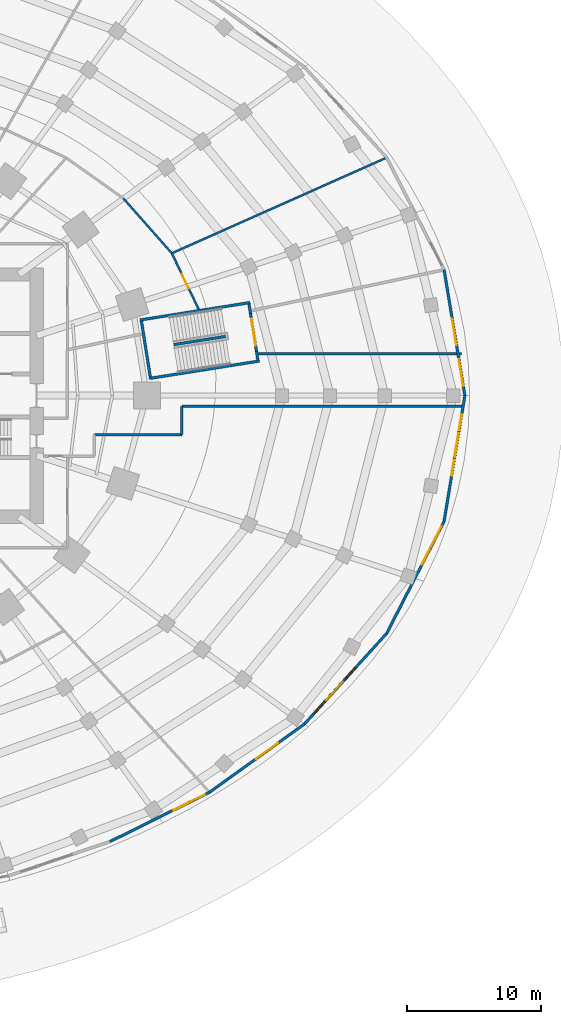
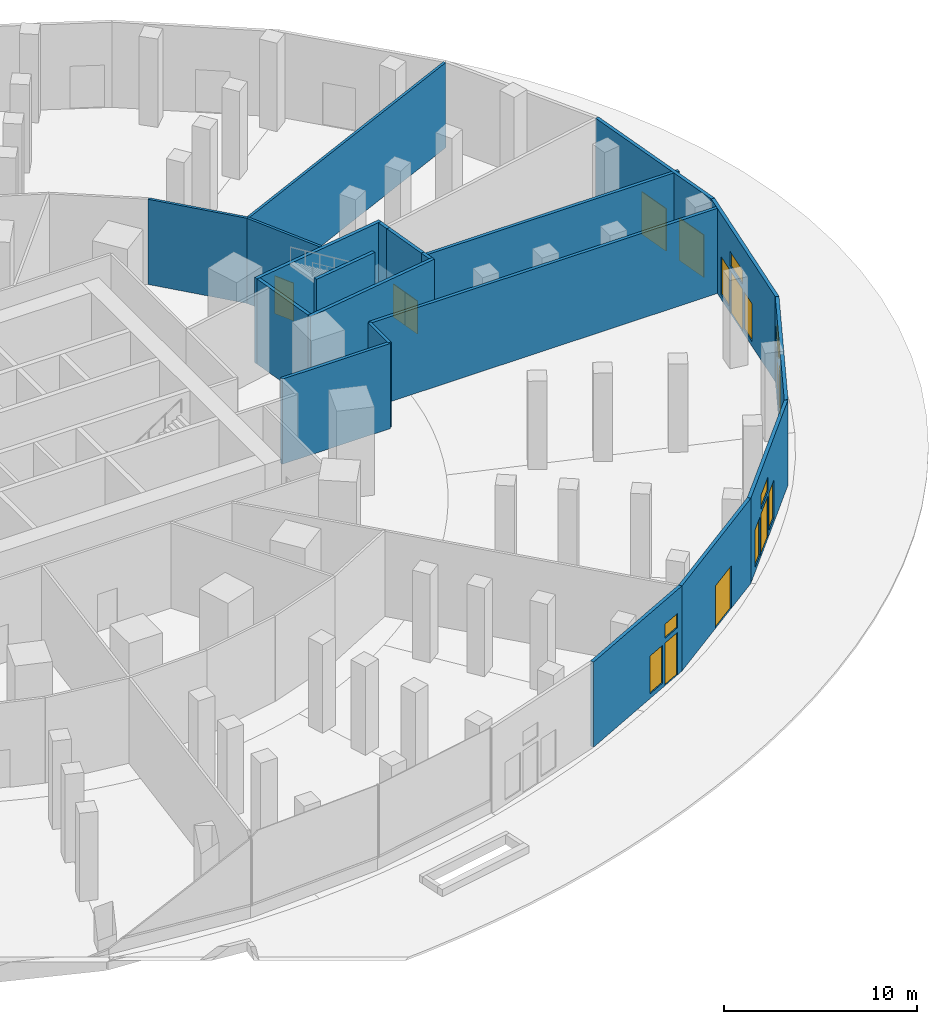
# One storey, part 19 of 23: 20 walls, 10 doors, 10 windows, 20 openings.
"""IFC4 building model written with IfcOpenShell, lengths in metres."""

from ifc_helpers import new_model, si_unit, direction, frame, frame_2d, origin, place, context, subcontext, project, spatial, rectangle, extrude, material, layer, layer_set, type_object, element, fill, save


model = new_model("IFC4")

# Units and contexts
model_context = context("Model", 3, precision=1e-05, world=origin(), true_north=direction((0.0, 1.0)))
body_context = subcontext(model_context, "Body", "Model", "MODEL_VIEW")
ifc_project = project(units=[si_unit("LENGTHUNIT", "METRE"), si_unit("AREAUNIT", "SQUARE_METRE"), si_unit("VOLUMEUNIT", "CUBIC_METRE"), si_unit("PLANEANGLEUNIT", "RADIAN"), si_unit("MASSUNIT", "GRAM", prefix="KILO")], contexts=[model_context])

# Site, building, storey
site_placement = place(None, origin())
site = spatial("IfcSite", under=ifc_project, at=site_placement, CompositionType="ELEMENT")
building_placement = place(site_placement, origin())
building = spatial("IfcBuilding", under=site, at=building_placement, Name="Marramba Exchange Tower", CompositionType="ELEMENT")
storey_placement = place(building_placement, origin())
storey = spatial("IfcBuildingStorey", under=building, at=storey_placement, Name="L00", CompositionType="ELEMENT", Elevation=0.0)

# Wall, openings, doors
ifc_material_1 = material(Name="Aluminium-framed bronze cladding on steel studs", Category="steel")
ifc_layer_1 = layer(ifc_material_1, 0.199951171875)
ifc_layer_set_1 = layer_set([ifc_layer_1], Name="Door screen wall 200")
wall_type_1 = type_object("IfcWallType", Name="Door screen wall 200", PredefinedType="SOLIDWALL", material=ifc_layer_set_1)
wall_1_placement = place(storey_placement, frame((45.550048828125, 0.0, 0.0), z_axis=(0.0, 0.0, 1.0), x_axis=(-0.163246268424, 0.986585351526, 0.0)))
wall_1 = element("IfcWall", 1, at=wall_1_placement, inside=storey, type_object=wall_type_1, Name="Door screen L00 F01", PredefinedType="SOLIDWALL", context=body_context, shape_type="SweptSolid", body=[
    extrude(rectangle(XDim=9.480224609375, YDim=0.199951171875, at=frame_2d((4.740234375, 0.0))), origin(), (0.0, 0.0, 1.0), 5.39990234375),
])
opening_1_placement = place(wall_1_placement, frame((3.801025390625, 0.0, 0.0)))
opening_1 = element("IfcOpeningElement", 2, at=opening_1_placement, cuts=wall_1, Name="Opening D21", PredefinedType="OPENING", context=body_context, shape_type="SweptSolid", body=[
    extrude(rectangle(XDim=2.0, YDim=2.699951171875, at=frame_2d((1.0, 1.35009765625))), frame((0.0, 0.10986328125, 0.0), z_axis=(0.0, -1.0, 0.0), x_axis=(1.0, 0.0, 0.0)), (0.0, 0.0, 1.0), 0.219970703125),
])
opening_2_placement = place(wall_1_placement, frame((0.72314453125, 0.0, 0.0)))
opening_2 = element("IfcOpeningElement", 3, at=opening_2_placement, cuts=wall_1, Name="Opening D21", PredefinedType="OPENING", context=body_context, shape_type="SweptSolid", body=[
    extrude(rectangle(XDim=2.0, YDim=2.699951171875, at=frame_2d((1.0, 1.35009765625))), frame((0.0, 0.10986328125, 0.0), z_axis=(0.0, -1.0, 0.0), x_axis=(1.0, 0.0, 0.0)), (0.0, 0.0, 1.0), 0.219970703125),
])
ifc_material_2 = material(Name="Aluminium-framed glazed door, bronze", Category="aluminium")
door_type_1 = type_object("IfcDoorType", Name="Exit door pair 2000x2700", OperationType="DOUBLE_DOOR_SINGLE_SWING", PredefinedType="DOOR", material=ifc_material_2)
door_1_placement = place(opening_1_placement, frame((2.0, 0.0, 0.0), z_axis=(0.0, 0.0, 1.0), x_axis=(-1.0, 0.0, 0.0)))
door_1 = element("IfcDoor", 4, at=door_1_placement, inside=storey, type_object=door_type_1, Name="D21 L00", OperationType="DOUBLE_DOOR_SINGLE_SWING", OverallHeight=2.699951171875, OverallWidth=2.0, PredefinedType="DOOR", context=body_context, shape_type="SweptSolid", body=[
    extrude(rectangle(XDim=2.0, YDim=2.699951171875, at=frame_2d((1.0, 1.35009765625))), frame((0.0, 0.025146484375, 0.0), z_axis=(0.0, -1.0, 0.0), x_axis=(1.0, 0.0, 0.0)), (0.0, 0.0, 1.0), 0.050048828125),
])
fill(opening_1, door_1)
door_2_placement = place(opening_2_placement, frame((2.0, 0.0, 0.0), z_axis=(0.0, 0.0, 1.0), x_axis=(-1.0, 0.0, 0.0)))
door_2 = element("IfcDoor", 5, at=door_2_placement, inside=storey, type_object=door_type_1, Name="D21 L00", OperationType="DOUBLE_DOOR_SINGLE_SWING", OverallHeight=2.699951171875, OverallWidth=2.0, PredefinedType="DOOR", context=body_context, shape_type="SweptSolid", body=[
    extrude(rectangle(XDim=2.0, YDim=2.699951171875, at=frame_2d((1.0, 1.35009765625))), frame((0.0, 0.025146484375, 0.0), z_axis=(0.0, -1.0, 0.0), x_axis=(1.0, 0.0, 0.0)), (0.0, 0.0, 1.0), 0.050048828125),
])
fill(opening_2, door_2)

# Wall, openings, windows, door
wall_2_placement = place(storey_placement, frame((19.151123046875, -33.17041015625, 0.0), z_axis=(0.0, 0.0, 1.0), x_axis=(0.896091912652, 0.443868543693, 0.0)))
wall_2 = element("IfcWall", 6, at=wall_2_placement, inside=storey, type_object=wall_type_1, Name="Door screen L00 F26", PredefinedType="SOLIDWALL", context=body_context, shape_type="SweptSolid", body=[
    extrude(rectangle(XDim=8.269775390625, YDim=0.199951171875, at=frame_2d((4.134765625, 0.0))), origin(), (0.0, 0.0, 1.0), 5.39990234375),
])
opening_3_placement = place(wall_2_placement, frame((6.669921875, 0.0, 0.0)))
opening_3 = element("IfcOpeningElement", 7, at=opening_3_placement, cuts=wall_2, Name="Opening D10", PredefinedType="OPENING", context=body_context, shape_type="SweptSolid", body=[
    extrude(rectangle(XDim=1.199951171875, YDim=2.699951171875, at=frame_2d((0.60009765625, 1.35009765625))), frame((0.0, 0.10986328125, 0.0), z_axis=(0.0, -1.0, 0.0), x_axis=(1.0, 0.0, 0.0)), (0.0, 0.0, 1.0), 0.219970703125),
])
opening_4_placement = place(wall_2_placement, frame((5.27001953125, 0.0, 0.300048828125)))
opening_4 = element("IfcOpeningElement", 8, at=opening_4_placement, cuts=wall_2, Name="Opening W1", PredefinedType="OPENING", context=body_context, shape_type="SweptSolid", body=[
    extrude(rectangle(XDim=1.199951171875, YDim=2.39990234375, at=frame_2d((0.60009765625, 1.199951171875))), frame((0.0, 0.10986328125, 0.0), z_axis=(0.0, -1.0, 0.0), x_axis=(1.0, 0.0, 0.0)), (0.0, 0.0, 1.0), 0.219970703125),
])
opening_5_placement = place(wall_2_placement, frame((6.669921875, 0.0, 3.0)))
opening_5 = element("IfcOpeningElement", 9, at=opening_5_placement, cuts=wall_2, Name="Opening W3", PredefinedType="OPENING", context=body_context, shape_type="SweptSolid", body=[
    extrude(rectangle(XDim=1.199951171875, YDim=0.89990234375, at=frame_2d((0.60009765625, 0.449951171875))), frame((0.0, 0.10986328125, 0.0), z_axis=(0.0, -1.0, 0.0), x_axis=(1.0, 0.0, 0.0)), (0.0, 0.0, 1.0), 0.219970703125),
])
ifc_material_3 = material(Name="Aluminium-framed fixed light, bronze, double glazed", Category="aluminium")
window_type_1 = type_object("IfcWindowType", Name="Entrance sidelight 1200x2400", PartitioningType="SINGLE_PANEL", PredefinedType="WINDOW", material=ifc_material_3)
window_1_placement = place(opening_4_placement, origin())
window_1 = element("IfcWindow", 10, at=window_1_placement, inside=storey, type_object=window_type_1, Name="W1 L00 F26 left", OverallHeight=2.39990234375, OverallWidth=1.199951171875, PartitioningType="SINGLE_PANEL", PredefinedType="WINDOW", context=body_context, shape_type="SweptSolid", body=[
    extrude(rectangle(XDim=1.199951171875, YDim=2.39990234375, at=frame_2d((0.60009765625, 1.199951171875))), frame((0.0, 0.030029296875, 0.0), z_axis=(0.0, -1.0, 0.0), x_axis=(1.0, 0.0, 0.0)), (0.0, 0.0, 1.0), 0.06005859375),
])
fill(opening_4, window_1)
door_type_2 = type_object("IfcDoorType", Name="Gallery entrance door 1200x2700", OperationType="SINGLE_SWING_LEFT", PredefinedType="DOOR", material=ifc_material_2)
door_3_placement = place(opening_3_placement, frame((1.199951171875, 0.0, 0.0), z_axis=(0.0, 0.0, 1.0), x_axis=(-1.0, 0.0, 0.0)))
door_3 = element("IfcDoor", 11, at=door_3_placement, inside=storey, type_object=door_type_2, Name="D10 L00", OperationType="SINGLE_SWING_RIGHT", OverallHeight=2.699951171875, OverallWidth=1.199951171875, PredefinedType="DOOR", context=body_context, shape_type="SweptSolid", body=[
    extrude(rectangle(XDim=1.199951171875, YDim=2.699951171875, at=frame_2d((0.599853515625, 1.35009765625))), frame((0.0, 0.025146484375, 0.0), z_axis=(0.0, -1.0, 0.0), x_axis=(1.0, 0.0, 0.0)), (0.0, 0.0, 1.0), 0.050048828125),
])
fill(opening_3, door_3)
window_type_2 = type_object("IfcWindowType", Name="Gallery transom light 1200x900", PartitioningType="SINGLE_PANEL", PredefinedType="WINDOW", material=ifc_material_3)
window_2_placement = place(opening_5_placement, origin())
window_2 = element("IfcWindow", 12, at=window_2_placement, inside=storey, type_object=window_type_2, Name="W3 L00 F26 over the door", OverallHeight=0.89990234375, OverallWidth=1.199951171875, PartitioningType="SINGLE_PANEL", PredefinedType="WINDOW", context=body_context, shape_type="SweptSolid", body=[
    extrude(rectangle(XDim=1.199951171875, YDim=0.89990234375, at=frame_2d((0.60009765625, 0.449951171875))), frame((0.0, 0.030029296875, 0.0), z_axis=(0.0, -1.0, 0.0), x_axis=(1.0, 0.0, 0.0)), (0.0, 0.0, 1.0), 0.06005859375),
])
fill(opening_5, window_2)

# Wall, opening, door
wall_3_placement = place(storey_placement, frame((26.5615234375, -29.499755859375, 0.0), z_axis=(0.0, 0.0, 1.0), x_axis=(0.811842698993, 0.583876212987, 0.0)))
wall_3 = element("IfcWall", 13, at=wall_3_placement, inside=storey, type_object=wall_type_1, Name="Door screen L00 F27", PredefinedType="SOLIDWALL", context=body_context, shape_type="SweptSolid", body=[
    extrude(rectangle(XDim=8.69189453125, YDim=0.199951171875, at=frame_2d((4.345947265625, 0.0))), origin(), (0.0, 0.0, 1.0), 5.39990234375),
])
opening_6_placement = place(wall_3_placement, frame((4.260009765625, 0.0, 0.0)))
opening_6 = element("IfcOpeningElement", 14, at=opening_6_placement, cuts=wall_3, Name="Opening D21", PredefinedType="OPENING", context=body_context, shape_type="SweptSolid", body=[
    extrude(rectangle(XDim=2.0, YDim=2.699951171875, at=frame_2d((1.0, 1.35009765625))), frame((0.0, 0.10986328125, 0.0), z_axis=(0.0, -1.0, 0.0), x_axis=(1.0, 0.0, 0.0)), (0.0, 0.0, 1.0), 0.219970703125),
])
door_4_placement = place(opening_6_placement, frame((2.0, 0.0, 0.0), z_axis=(0.0, 0.0, 1.0), x_axis=(-1.0, 0.0, 0.0)))
door_4 = element("IfcDoor", 15, at=door_4_placement, inside=storey, type_object=door_type_1, Name="D21 L00", OperationType="DOUBLE_DOOR_SINGLE_SWING", OverallHeight=2.699951171875, OverallWidth=2.0, PredefinedType="DOOR", context=body_context, shape_type="SweptSolid", body=[
    extrude(rectangle(XDim=2.0, YDim=2.699951171875, at=frame_2d((1.0, 1.35009765625))), frame((0.0, 0.025146484375, 0.0), z_axis=(0.0, -1.0, 0.0), x_axis=(1.0, 0.0, 0.0)), (0.0, 0.0, 1.0), 0.050048828125),
])
fill(opening_6, door_4)

# Wall, openings, windows, door
wall_4_placement = place(storey_placement, frame((33.617919921875, -24.4248046875, 0.0), z_axis=(0.0, 0.0, 1.0), x_axis=(0.672185050873, 0.740383182806, 0.0)))
wall_4 = element("IfcWall", 16, at=wall_4_placement, inside=storey, type_object=wall_type_1, Name="Door screen L00 F28", PredefinedType="SOLIDWALL", context=body_context, shape_type="SweptSolid", body=[
    extrude(rectangle(XDim=9.096435546875, YDim=0.199951171875, at=frame_2d((4.54833984375, 0.0))), origin(), (0.0, 0.0, 1.0), 5.39990234375),
])
opening_7_placement = place(wall_4_placement, frame((2.43017578125, 0.0, 0.0)))
opening_7 = element("IfcOpeningElement", 17, at=opening_7_placement, cuts=wall_4, Name="Opening D11", PredefinedType="OPENING", context=body_context, shape_type="SweptSolid", body=[
    extrude(rectangle(XDim=1.800048828125, YDim=2.699951171875, at=frame_2d((0.89990234375, 1.35009765625))), frame((0.0, 0.10986328125, 0.0), z_axis=(0.0, -1.0, 0.0), x_axis=(1.0, 0.0, 0.0)), (0.0, 0.0, 1.0), 0.219970703125),
])
opening_8_placement = place(wall_4_placement, frame((1.030029296875, 0.0, 0.300048828125)))
opening_8 = element("IfcOpeningElement", 18, at=opening_8_placement, cuts=wall_4, Name="Opening W1", PredefinedType="OPENING", context=body_context, shape_type="SweptSolid", body=[
    extrude(rectangle(XDim=1.199951171875, YDim=2.39990234375, at=frame_2d((0.60009765625, 1.199951171875))), frame((0.0, 0.10986328125, 0.0), z_axis=(0.0, -1.0, 0.0), x_axis=(1.0, 0.0, 0.0)), (0.0, 0.0, 1.0), 0.219970703125),
])
opening_9_placement = place(wall_4_placement, frame((4.43017578125, 0.0, 0.300048828125)))
opening_9 = element("IfcOpeningElement", 19, at=opening_9_placement, cuts=wall_4, Name="Opening W1", PredefinedType="OPENING", context=body_context, shape_type="SweptSolid", body=[
    extrude(rectangle(XDim=1.199951171875, YDim=2.39990234375, at=frame_2d((0.60009765625, 1.199951171875))), frame((0.0, 0.10986328125, 0.0), z_axis=(0.0, -1.0, 0.0), x_axis=(1.0, 0.0, 0.0)), (0.0, 0.0, 1.0), 0.219970703125),
])
opening_10_placement = place(wall_4_placement, frame((2.43017578125, 0.0, 3.0)))
opening_10 = element("IfcOpeningElement", 20, at=opening_10_placement, cuts=wall_4, Name="Opening W2", PredefinedType="OPENING", context=body_context, shape_type="SweptSolid", body=[
    extrude(rectangle(XDim=1.800048828125, YDim=0.89990234375, at=frame_2d((0.89990234375, 0.449951171875))), frame((0.0, 0.10986328125, 0.0), z_axis=(0.0, -1.0, 0.0), x_axis=(1.0, 0.0, 0.0)), (0.0, 0.0, 1.0), 0.219970703125),
])
window_3_placement = place(opening_8_placement, origin())
window_3 = element("IfcWindow", 21, at=window_3_placement, inside=storey, type_object=window_type_1, Name="W1 L00 F28 left", OverallHeight=2.39990234375, OverallWidth=1.199951171875, PartitioningType="SINGLE_PANEL", PredefinedType="WINDOW", context=body_context, shape_type="SweptSolid", body=[
    extrude(rectangle(XDim=1.199951171875, YDim=2.39990234375, at=frame_2d((0.60009765625, 1.199951171875))), frame((0.0, 0.030029296875, 0.0), z_axis=(0.0, -1.0, 0.0), x_axis=(1.0, 0.0, 0.0)), (0.0, 0.0, 1.0), 0.06005859375),
])
fill(opening_8, window_3)
window_4_placement = place(opening_9_placement, origin())
window_4 = element("IfcWindow", 22, at=window_4_placement, inside=storey, type_object=window_type_1, Name="W1 L00 F28 right", OverallHeight=2.39990234375, OverallWidth=1.199951171875, PartitioningType="SINGLE_PANEL", PredefinedType="WINDOW", context=body_context, shape_type="SweptSolid", body=[
    extrude(rectangle(XDim=1.199951171875, YDim=2.39990234375, at=frame_2d((0.60009765625, 1.199951171875))), frame((0.0, 0.030029296875, 0.0), z_axis=(0.0, -1.0, 0.0), x_axis=(1.0, 0.0, 0.0)), (0.0, 0.0, 1.0), 0.06005859375),
])
fill(opening_9, window_4)
window_type_3 = type_object("IfcWindowType", Name="Entrance transom light 1800x900", PartitioningType="SINGLE_PANEL", PredefinedType="WINDOW", material=ifc_material_3)
window_5_placement = place(opening_10_placement, origin())
window_5 = element("IfcWindow", 23, at=window_5_placement, inside=storey, type_object=window_type_3, Name="W2 L00 F28 over the door", OverallHeight=0.89990234375, OverallWidth=1.800048828125, PartitioningType="SINGLE_PANEL", PredefinedType="WINDOW", context=body_context, shape_type="SweptSolid", body=[
    extrude(rectangle(XDim=1.800048828125, YDim=0.89990234375, at=frame_2d((0.89990234375, 0.449951171875))), frame((0.0, 0.030029296875, 0.0), z_axis=(0.0, -1.0, 0.0), x_axis=(1.0, 0.0, 0.0)), (0.0, 0.0, 1.0), 0.06005859375),
])
fill(opening_10, window_5)
door_type_3 = type_object("IfcDoorType", Name="Exchange hall exit door 1800x2700", OperationType="DOUBLE_DOOR_SINGLE_SWING", PredefinedType="DOOR", material=ifc_material_2)
door_5_placement = place(opening_7_placement, frame((1.800048828125, 0.0, 0.0), z_axis=(0.0, 0.0, 1.0), x_axis=(-1.0, 0.0, 0.0)))
door_5 = element("IfcDoor", 24, at=door_5_placement, inside=storey, type_object=door_type_3, Name="D11 L00", OperationType="DOUBLE_DOOR_SINGLE_SWING", OverallHeight=2.699951171875, OverallWidth=1.800048828125, PredefinedType="DOOR", context=body_context, shape_type="SweptSolid", body=[
    extrude(rectangle(XDim=1.800048828125, YDim=2.699951171875, at=frame_2d((0.900146484375, 1.35009765625))), frame((0.0, 0.025146484375, 0.0), z_axis=(0.0, -1.0, 0.0), x_axis=(1.0, 0.0, 0.0)), (0.0, 0.0, 1.0), 0.050048828125),
])
fill(opening_7, door_5)

wall_5_placement = place(storey_placement, frame((39.732421875, -17.68994140625, 0.0), z_axis=(0.0, 0.0, 1.0), x_axis=(0.455866804963, 0.890048007769, 0.0)))
wall_5 = element("IfcWall", 25, at=wall_5_placement, inside=storey, type_object=wall_type_1, Name="Door screen L00 F29", PredefinedType="SOLIDWALL", context=body_context, shape_type="SweptSolid", body=[
    extrude(rectangle(XDim=9.36669921875, YDim=0.199951171875, at=frame_2d((4.683349609375, 0.0))), origin(), (0.0, 0.0, 1.0), 5.39990234375),
])
opening_11_placement = place(wall_5_placement, frame((7.1669921875, 0.0, 0.0)))
opening_11 = element("IfcOpeningElement", 26, at=opening_11_placement, cuts=wall_5, Name="Opening D11", PredefinedType="OPENING", context=body_context, shape_type="SweptSolid", body=[
    extrude(rectangle(XDim=1.800048828125, YDim=2.699951171875, at=frame_2d((0.89990234375, 1.35009765625))), frame((0.0, 0.10986328125, 0.0), z_axis=(0.0, -1.0, 0.0), x_axis=(1.0, 0.0, 0.0)), (0.0, 0.0, 1.0), 0.219970703125),
])
opening_12_placement = place(wall_5_placement, frame((5.766845703125, 0.0, 0.300048828125)))
opening_12 = element("IfcOpeningElement", 27, at=opening_12_placement, cuts=wall_5, Name="Opening W1", PredefinedType="OPENING", context=body_context, shape_type="SweptSolid", body=[
    extrude(rectangle(XDim=1.199951171875, YDim=2.39990234375, at=frame_2d((0.60009765625, 1.199951171875))), frame((0.0, 0.10986328125, 0.0), z_axis=(0.0, -1.0, 0.0), x_axis=(1.0, 0.0, 0.0)), (0.0, 0.0, 1.0), 0.219970703125),
])
opening_13_placement = place(wall_5_placement, frame((7.1669921875, 0.0, 3.0)))
opening_13 = element("IfcOpeningElement", 28, at=opening_13_placement, cuts=wall_5, Name="Opening W2", PredefinedType="OPENING", context=body_context, shape_type="SweptSolid", body=[
    extrude(rectangle(XDim=1.800048828125, YDim=0.89990234375, at=frame_2d((0.89990234375, 0.449951171875))), frame((0.0, 0.10986328125, 0.0), z_axis=(0.0, -1.0, 0.0), x_axis=(1.0, 0.0, 0.0)), (0.0, 0.0, 1.0), 0.219970703125),
])
window_6_placement = place(opening_12_placement, origin())
window_6 = element("IfcWindow", 29, at=window_6_placement, inside=storey, type_object=window_type_1, Name="W1 L00 F29 left", OverallHeight=2.39990234375, OverallWidth=1.199951171875, PartitioningType="SINGLE_PANEL", PredefinedType="WINDOW", context=body_context, shape_type="SweptSolid", body=[
    extrude(rectangle(XDim=1.199951171875, YDim=2.39990234375, at=frame_2d((0.60009765625, 1.199951171875))), frame((0.0, 0.030029296875, 0.0), z_axis=(0.0, -1.0, 0.0), x_axis=(1.0, 0.0, 0.0)), (0.0, 0.0, 1.0), 0.06005859375),
])
fill(opening_12, window_6)
window_7_placement = place(opening_13_placement, origin())
window_7 = element("IfcWindow", 30, at=window_7_placement, inside=storey, type_object=window_type_3, Name="W2 L00 F29 over the door", OverallHeight=0.89990234375, OverallWidth=1.800048828125, PartitioningType="SINGLE_PANEL", PredefinedType="WINDOW", context=body_context, shape_type="SweptSolid", body=[
    extrude(rectangle(XDim=1.800048828125, YDim=0.89990234375, at=frame_2d((0.89990234375, 0.449951171875))), frame((0.0, 0.030029296875, 0.0), z_axis=(0.0, -1.0, 0.0), x_axis=(1.0, 0.0, 0.0)), (0.0, 0.0, 1.0), 0.06005859375),
])
fill(opening_13, window_7)
door_6_placement = place(opening_11_placement, frame((1.800048828125, 0.0, 0.0), z_axis=(0.0, 0.0, 1.0), x_axis=(-1.0, 0.0, 0.0)))
door_6 = element("IfcDoor", 31, at=door_6_placement, inside=storey, type_object=door_type_3, Name="D11 L00", OperationType="DOUBLE_DOOR_SINGLE_SWING", OverallHeight=2.699951171875, OverallWidth=1.800048828125, PredefinedType="DOOR", context=body_context, shape_type="SweptSolid", body=[
    extrude(rectangle(XDim=1.800048828125, YDim=2.699951171875, at=frame_2d((0.900146484375, 1.35009765625))), frame((0.0, 0.025146484375, 0.0), z_axis=(0.0, -1.0, 0.0), x_axis=(1.0, 0.0, 0.0)), (0.0, 0.0, 1.0), 0.050048828125),
])
fill(opening_11, door_6)

wall_6_placement = place(storey_placement, frame((44.00244140625, -9.35302734375, 0.0), z_axis=(0.0, 0.0, 1.0), x_axis=(0.163246268424, 0.986585351526, 0.0)))
wall_6 = element("IfcWall", 32, at=wall_6_placement, inside=storey, type_object=wall_type_1, Name="Door screen L00 F30", PredefinedType="SOLIDWALL", context=body_context, shape_type="SweptSolid", body=[
    extrude(rectangle(XDim=9.480224609375, YDim=0.199951171875, at=frame_2d((4.740234375, 0.0))), origin(), (0.0, 0.0, 1.0), 5.39990234375),
])
opening_14_placement = place(wall_6_placement, frame((4.851806640625, 0.0, 0.0)))
opening_14 = element("IfcOpeningElement", 33, at=opening_14_placement, cuts=wall_6, Name="Opening D11", PredefinedType="OPENING", context=body_context, shape_type="SweptSolid", body=[
    extrude(rectangle(XDim=1.800048828125, YDim=2.699951171875, at=frame_2d((0.89990234375, 1.35009765625))), frame((0.0, 0.10986328125, 0.0), z_axis=(0.0, -1.0, 0.0), x_axis=(1.0, 0.0, 0.0)), (0.0, 0.0, 1.0), 0.219970703125),
])
opening_15_placement = place(wall_6_placement, frame((3.451904296875, 0.0, 0.300048828125)))
opening_15 = element("IfcOpeningElement", 34, at=opening_15_placement, cuts=wall_6, Name="Opening W1", PredefinedType="OPENING", context=body_context, shape_type="SweptSolid", body=[
    extrude(rectangle(XDim=1.199951171875, YDim=2.39990234375, at=frame_2d((0.60009765625, 1.199951171875))), frame((0.0, 0.10986328125, 0.0), z_axis=(0.0, -1.0, 0.0), x_axis=(1.0, 0.0, 0.0)), (0.0, 0.0, 1.0), 0.219970703125),
])
opening_16_placement = place(wall_6_placement, frame((6.851806640625, 0.0, 0.300048828125)))
opening_16 = element("IfcOpeningElement", 35, at=opening_16_placement, cuts=wall_6, Name="Opening W1", PredefinedType="OPENING", context=body_context, shape_type="SweptSolid", body=[
    extrude(rectangle(XDim=1.199951171875, YDim=2.39990234375, at=frame_2d((0.60009765625, 1.199951171875))), frame((0.0, 0.10986328125, 0.0), z_axis=(0.0, -1.0, 0.0), x_axis=(1.0, 0.0, 0.0)), (0.0, 0.0, 1.0), 0.219970703125),
])
opening_17_placement = place(wall_6_placement, frame((4.851806640625, 0.0, 3.0)))
opening_17 = element("IfcOpeningElement", 36, at=opening_17_placement, cuts=wall_6, Name="Opening W2", PredefinedType="OPENING", context=body_context, shape_type="SweptSolid", body=[
    extrude(rectangle(XDim=1.800048828125, YDim=0.89990234375, at=frame_2d((0.89990234375, 0.449951171875))), frame((0.0, 0.10986328125, 0.0), z_axis=(0.0, -1.0, 0.0), x_axis=(1.0, 0.0, 0.0)), (0.0, 0.0, 1.0), 0.219970703125),
])
window_8_placement = place(opening_15_placement, origin())
window_8 = element("IfcWindow", 37, at=window_8_placement, inside=storey, type_object=window_type_1, Name="W1 L00 F30 left", OverallHeight=2.39990234375, OverallWidth=1.199951171875, PartitioningType="SINGLE_PANEL", PredefinedType="WINDOW", context=body_context, shape_type="SweptSolid", body=[
    extrude(rectangle(XDim=1.199951171875, YDim=2.39990234375, at=frame_2d((0.60009765625, 1.199951171875))), frame((0.0, 0.030029296875, 0.0), z_axis=(0.0, -1.0, 0.0), x_axis=(1.0, 0.0, 0.0)), (0.0, 0.0, 1.0), 0.06005859375),
])
fill(opening_15, window_8)
window_9_placement = place(opening_16_placement, origin())
window_9 = element("IfcWindow", 38, at=window_9_placement, inside=storey, type_object=window_type_1, Name="W1 L00 F30 right", OverallHeight=2.39990234375, OverallWidth=1.199951171875, PartitioningType="SINGLE_PANEL", PredefinedType="WINDOW", context=body_context, shape_type="SweptSolid", body=[
    extrude(rectangle(XDim=1.199951171875, YDim=2.39990234375, at=frame_2d((0.60009765625, 1.199951171875))), frame((0.0, 0.030029296875, 0.0), z_axis=(0.0, -1.0, 0.0), x_axis=(1.0, 0.0, 0.0)), (0.0, 0.0, 1.0), 0.06005859375),
])
fill(opening_16, window_9)
window_10_placement = place(opening_17_placement, origin())
window_10 = element("IfcWindow", 39, at=window_10_placement, inside=storey, type_object=window_type_3, Name="W2 L00 F30 over the door", OverallHeight=0.89990234375, OverallWidth=1.800048828125, PartitioningType="SINGLE_PANEL", PredefinedType="WINDOW", context=body_context, shape_type="SweptSolid", body=[
    extrude(rectangle(XDim=1.800048828125, YDim=0.89990234375, at=frame_2d((0.89990234375, 0.449951171875))), frame((0.0, 0.030029296875, 0.0), z_axis=(0.0, -1.0, 0.0), x_axis=(1.0, 0.0, 0.0)), (0.0, 0.0, 1.0), 0.06005859375),
])
fill(opening_17, window_10)
door_7_placement = place(opening_14_placement, frame((1.800048828125, 0.0, 0.0), z_axis=(0.0, 0.0, 1.0), x_axis=(-1.0, 0.0, 0.0)))
door_7 = element("IfcDoor", 40, at=door_7_placement, inside=storey, type_object=door_type_3, Name="D11 L00", OperationType="DOUBLE_DOOR_SINGLE_SWING", OverallHeight=2.699951171875, OverallWidth=1.800048828125, PredefinedType="DOOR", context=body_context, shape_type="SweptSolid", body=[
    extrude(rectangle(XDim=1.800048828125, YDim=2.699951171875, at=frame_2d((0.900146484375, 1.35009765625))), frame((0.0, 0.025146484375, 0.0), z_axis=(0.0, -1.0, 0.0), x_axis=(1.0, 0.0, 0.0)), (0.0, 0.0, 1.0), 0.050048828125),
])
fill(opening_14, door_7)

# Walls
ifc_material_4 = material(Name="Core-filled concrete blockwork, rendered", Category="masonry")
ifc_layer_2 = layer(ifc_material_4, 0.18994140625)
ifc_layer_set_2 = layer_set([ifc_layer_2], Name="Equipment room wall 190")
wall_type_2 = type_object("IfcWallType", Name="Equipment room wall 190", PredefinedType="SOLIDWALL", material=ifc_layer_set_2)
wall_7_placement = place(storey_placement, frame((18.0, -2.89990234375, 0.0), z_axis=(0.0, 0.0, 1.0), x_axis=(1.0, 0.0, 0.0)))
element("IfcWall", 41, at=wall_7_placement, inside=storey, type_object=wall_type_2, Name="Fire control room wall L00 38", PredefinedType="SOLIDWALL", context=body_context, shape_type="SweptSolid", body=[
    extrude(rectangle(XDim=6.5, YDim=0.18994140625, at=frame_2d((3.25, 0.0))), origin(), (0.0, 0.0, 1.0), 5.39990234375),
])
wall_8_placement = place(storey_placement, frame((24.5, -2.89990234375, 0.0), z_axis=(0.0, 0.0, 1.0), x_axis=(0.0, 1.0, 0.0)))
element("IfcWall", 42, at=wall_8_placement, inside=storey, type_object=wall_type_2, Name="Fire control room wall L00 40", PredefinedType="SOLIDWALL", context=body_context, shape_type="SweptSolid", body=[
    extrude(rectangle(XDim=2.099853515625, YDim=0.18994140625, at=frame_2d((1.0498046875, 0.0))), origin(), (0.0, 0.0, 1.0), 5.39990234375),
])
wall_9_placement = place(storey_placement, frame((24.5, -0.800048828125, 0.0), z_axis=(0.0, 0.0, 1.0), x_axis=(1.0, 0.0, 0.0)))
element("IfcWall", 43, at=wall_9_placement, inside=storey, type_object=wall_type_2, Name="Fire control room wall L00 41", PredefinedType="SOLIDWALL", context=body_context, shape_type="SweptSolid", body=[
    extrude(rectangle(XDim=20.936767578125, YDim=0.18994140625, at=frame_2d((10.46826171875, 0.0))), origin(), (0.0, 0.0, 1.0), 5.39990234375),
])
wall_10_placement = place(storey_placement, frame((45.281494140625, 3.10009765625, 0.0), z_axis=(0.0, 0.0, 1.0), x_axis=(-1.0, 0.0, 0.0)))
element("IfcWall", 44, at=wall_10_placement, inside=storey, type_object=wall_type_2, Name="Fire control room wall L00 43", PredefinedType="SOLIDWALL", context=body_context, shape_type="SweptSolid", body=[
    extrude(rectangle(XDim=15.0947265625, YDim=0.18994140625, at=frame_2d((7.54736328125, 0.0))), origin(), (0.0, 0.0, 1.0), 5.39990234375),
])
ifc_material_5 = material(Name="Concrete N40", Category="concrete")
ifc_layer_3 = layer(ifc_material_5, 0.199951171875)
ifc_layer_set_3 = layer_set([ifc_layer_3], Name="Stair core wall 200 N40")
wall_type_3 = type_object("IfcWallType", Name="Stair core wall 200 N40", PredefinedType="SOLIDWALL", material=ifc_layer_set_3)
for number, where, z_axis, x_axis, name in (
    (45, (22.0732421875, 1.2685546875, 0.0), (0.0, 0.0, 1.0), (0.987684853285, 0.156456481465, 0.0), "Stair shaft wall ST4 L00 S"),
    (46, (21.385009765625, 5.614501953125, 0.0), (0.0, 0.0, 1.0), (0.987689398324, 0.156427786655, 0.0), "Stair shaft wall ST4 L00 N"),
):
    element("IfcWall", number, at=place(storey_placement, frame(where, z_axis=z_axis, x_axis=x_axis)), inside=storey, type_object=wall_type_3, Name=name, PredefinedType="SOLIDWALL", context=body_context, shape_type="SweptSolid", body=[
        extrude(rectangle(XDim=8.300048828125, YDim=0.199951171875, at=frame_2d((4.14990234375, 0.0))), origin(), (0.0, 0.0, 1.0), 5.39990234375),
    ])
wall_11_placement = place(storey_placement, frame((22.156494140625, 1.383056640625, 0.0), z_axis=(0.0, 0.0, 1.0), x_axis=(-0.156428225752, 0.987689328781, 0.0)))
element("IfcWall", 47, at=wall_11_placement, inside=storey, type_object=wall_type_3, Name="Stair shaft wall ST4 L00 W", PredefinedType="SOLIDWALL", context=body_context, shape_type="SweptSolid", body=[
    extrude(rectangle(XDim=4.199951171875, YDim=0.199951171875, at=frame_2d((2.10009765625, 0.0))), origin(), (0.0, 0.0, 1.0), 5.39990234375),
])
wall_12_placement = place(storey_placement, frame((30.15673828125, 2.650146484375, 0.0), z_axis=(0.0, 0.0, 1.0), x_axis=(-0.156598924055, 0.98766227881, 0.0)))
element("IfcWall", 48, at=wall_12_placement, inside=storey, type_object=wall_type_3, Name="Stair shaft wall ST4 L00 E1", PredefinedType="SOLIDWALL", context=body_context, shape_type="SweptSolid", body=[
    extrude(rectangle(XDim=0.650146484375, YDim=0.199951171875, at=frame_2d((0.3251953125, 0.0))), origin(), (0.0, 0.0, 1.0), 5.39990234375),
])
wall_13_placement = place(storey_placement, frame((29.609130859375, 6.107177734375, 0.0), z_axis=(0.0, 0.0, 1.0), x_axis=(-0.156249124184, 0.987717677878, 0.0)))
element("IfcWall", 49, at=wall_13_placement, inside=storey, type_object=wall_type_3, Name="Stair shaft wall ST4 L00 E2", PredefinedType="SOLIDWALL", context=body_context, shape_type="SweptSolid", body=[
    extrude(rectangle(XDim=0.699951171875, YDim=0.199951171875, at=frame_2d((0.35009765625, 0.0))), origin(), (0.0, 0.0, 1.0), 5.39990234375),
])

# Wall, openings, doors
wall_14_placement = place(storey_placement, frame((30.054931640625, 3.292236328125, 0.0), z_axis=(0.0, 0.0, 1.0), x_axis=(-0.156420041726, 0.987690624916, 0.0)))
wall_14 = element("IfcWall", 50, at=wall_14_placement, inside=storey, type_object=wall_type_3, Name="Stair shaft wall ST4 L00 E3", PredefinedType="SOLIDWALL", context=body_context, shape_type="SweptSolid", body=[
    extrude(rectangle(XDim=2.85009765625, YDim=0.199951171875, at=frame_2d((1.425048828125, 0.0))), origin(), (0.0, 0.0, 1.0), 5.39990234375),
])
opening_18_placement = place(wall_14_placement, frame((0.425048828125, 0.0, 0.0)))
opening_18 = element("IfcOpeningElement", 51, at=opening_18_placement, cuts=wall_14, Name="Opening D2", PredefinedType="OPENING", context=body_context, shape_type="SweptSolid", body=[
    extrude(rectangle(XDim=1.0, YDim=2.10009765625, at=frame_2d((0.5, 1.050048828125))), frame((0.0, 0.10986328125, 0.0), z_axis=(0.0, -1.0, 0.0), x_axis=(1.0, 0.0, 0.0)), (0.0, 0.0, 1.0), 0.219970703125),
])
opening_19_placement = place(wall_14_placement, frame((1.425048828125, 0.0, 0.0)))
opening_19 = element("IfcOpeningElement", 52, at=opening_19_placement, cuts=wall_14, Name="Opening D2", PredefinedType="OPENING", context=body_context, shape_type="SweptSolid", body=[
    extrude(rectangle(XDim=1.0, YDim=2.10009765625, at=frame_2d((0.5, 1.050048828125))), frame((0.0, 0.10986328125, 0.0), z_axis=(0.0, -1.0, 0.0), x_axis=(1.0, 0.0, 0.0)), (0.0, 0.0, 1.0), 0.219970703125),
])
ifc_material_6 = material(Name="Steel-framed door", Category="steel")
door_type_4 = type_object("IfcDoorType", Name="Stair door 1000x2100", OperationType="SINGLE_SWING_LEFT", PredefinedType="DOOR", material=ifc_material_6)
door_8_placement = place(opening_18_placement, frame((1.0, 0.0, 0.0), z_axis=(0.0, 0.0, 1.0), x_axis=(-1.0, 0.0, 0.0)))
door_8 = element("IfcDoor", 53, at=door_8_placement, inside=storey, type_object=door_type_4, Name="D2 stair ST4 L00 leaf 1", OperationType="SINGLE_SWING_RIGHT", OverallHeight=2.10009765625, OverallWidth=1.0, PredefinedType="DOOR", context=body_context, shape_type="SweptSolid", body=[
    extrude(rectangle(XDim=1.0, YDim=2.10009765625, at=frame_2d((0.5, 1.050048828125))), frame((0.0, 0.025146484375, 0.0), z_axis=(0.0, -1.0, 0.0), x_axis=(1.0, 0.0, 0.0)), (0.0, 0.0, 1.0), 0.050048828125),
])
fill(opening_18, door_8)
door_9_placement = place(opening_19_placement, frame((1.0, 0.0, 0.0), z_axis=(0.0, 0.0, 1.0), x_axis=(-1.0, 0.0, 0.0)))
door_9 = element("IfcDoor", 54, at=door_9_placement, inside=storey, type_object=door_type_4, Name="D2 stair ST4 L00 leaf 2", OperationType="SINGLE_SWING_LEFT", OverallHeight=2.10009765625, OverallWidth=1.0, PredefinedType="DOOR", context=body_context, shape_type="SweptSolid", body=[
    extrude(rectangle(XDim=1.0, YDim=2.10009765625, at=frame_2d((0.5, 1.050048828125))), frame((0.0, 0.025146484375, 0.0), z_axis=(0.0, -1.0, 0.0), x_axis=(1.0, 0.0, 0.0)), (0.0, 0.0, 1.0), 0.050048828125),
])
fill(opening_19, door_9)

# Wall
ifc_layer_4 = layer(ifc_material_4, 0.199951171875)
ifc_layer_set_4 = layer_set([ifc_layer_4], Name="Stair shaft wall 200")
wall_type_4 = type_object("IfcWallType", Name="Stair shaft wall 200", PredefinedType="SOLIDWALL", material=ifc_layer_set_4)
wall_15_placement = place(storey_placement, frame((23.902099609375, 3.78564453125, 0.0), z_axis=(0.0, 0.0, 1.0), x_axis=(0.987688240967, 0.156435094066, 0.0)))
element("IfcWall", 55, at=wall_15_placement, inside=storey, type_object=wall_type_4, Name="Stair spine wall ST4 L00", PredefinedType="SOLIDWALL", context=body_context, shape_type="SweptSolid", body=[
    extrude(rectangle(XDim=3.900146484375, YDim=0.199951171875, at=frame_2d((1.9501953125, 0.0))), origin(), (0.0, 0.0, 1.0), 5.60009765625),
])

# Wall, opening, door
ifc_material_7 = material(Name="Fire-rated plasterboard on steel studs, acoustic insulation", Category="steel")
ifc_layer_5 = layer(ifc_material_7, 0.14990234375)
ifc_layer_set_5 = layer_set([ifc_layer_5], Name="Tenancy wall 150")
wall_type_5 = type_object("IfcWallType", Name="Tenancy wall 150", PredefinedType="PARTITIONING", material=ifc_layer_set_5)
wall_16_placement = place(storey_placement, frame((25.760009765625, 6.40869140625, 0.0), z_axis=(0.0, 0.0, 1.0), x_axis=(-0.432499372538, 0.901634234462, 0.0)))
wall_16 = element("IfcWall", 56, at=wall_16_placement, inside=storey, type_object=wall_type_5, Name="Tenancy wall L00 46", PredefinedType="PARTITIONING", context=body_context, shape_type="SweptSolid", body=[
    extrude(rectangle(XDim=4.624755859375, YDim=0.14990234375, at=frame_2d((2.3125, 0.0))), origin(), (0.0, 0.0, 1.0), 5.39990234375),
])
opening_20_placement = place(wall_16_placement, frame((1.7119140625, 0.0, 0.0)))
opening_20 = element("IfcOpeningElement", 57, at=opening_20_placement, cuts=wall_16, Name="Opening D13", PredefinedType="OPENING", context=body_context, shape_type="SweptSolid", body=[
    extrude(rectangle(XDim=1.199951171875, YDim=2.39990234375, at=frame_2d((0.60009765625, 1.199951171875))), frame((0.0, 0.0849609375, 0.0), z_axis=(0.0, -1.0, 0.0), x_axis=(1.0, 0.0, 0.0)), (0.0, 0.0, 1.0), 0.169921875),
])
door_type_5 = type_object("IfcDoorType", Name="Tenancy entry door 1200x2400", OperationType="SINGLE_SWING_LEFT", PredefinedType="DOOR", material=ifc_material_6)
door_10_placement = place(opening_20_placement, origin())
door_10 = element("IfcDoor", 58, at=door_10_placement, inside=storey, type_object=door_type_5, Name="D13 Members' Entrance L00", OperationType="SINGLE_SWING_LEFT", OverallHeight=2.39990234375, OverallWidth=1.199951171875, PredefinedType="DOOR", context=body_context, shape_type="SweptSolid", body=[
    extrude(rectangle(XDim=1.199951171875, YDim=2.39990234375, at=frame_2d((0.60009765625, 1.199951171875))), frame((0.0, 0.02490234375, 0.0), z_axis=(0.0, -1.0, 0.0), x_axis=(1.0, 0.0, 0.0)), (0.0, 0.0, 1.0), 0.050048828125),
])
fill(opening_20, door_10)

# Walls
wall_17_placement = place(storey_placement, frame((23.759765625, 10.57861328125, 0.0), z_axis=(0.0, 0.0, 1.0), x_axis=(0.913545837632, 0.406735789604, 0.0)))
element("IfcWall", 59, at=wall_17_placement, inside=storey, type_object=wall_type_5, Name="Tenancy wall L00 47", PredefinedType="PARTITIONING", context=body_context, shape_type="SweptSolid", body=[
    extrude(rectangle(XDim=17.404052734375, YDim=0.14990234375, at=frame_2d((8.7021484375, 0.0))), origin(), (0.0, 0.0, 1.0), 5.39990234375),
])
wall_18_placement = place(storey_placement, frame((23.759765625, 10.57861328125, 0.0), z_axis=(0.0, 0.0, 1.0), x_axis=(-0.661972392396, 0.749528219419, 0.0)))
element("IfcWall", 60, at=wall_18_placement, inside=storey, type_object=wall_type_5, Name="Tenancy wall L00 49", PredefinedType="PARTITIONING", context=body_context, shape_type="SweptSolid", body=[
    extrude(rectangle(XDim=5.431884765625, YDim=0.14990234375, at=frame_2d((2.7158203125, 0.0))), origin(), (0.0, 0.0, 1.0), 5.39990234375),
])

save(model, "model.ifc")
